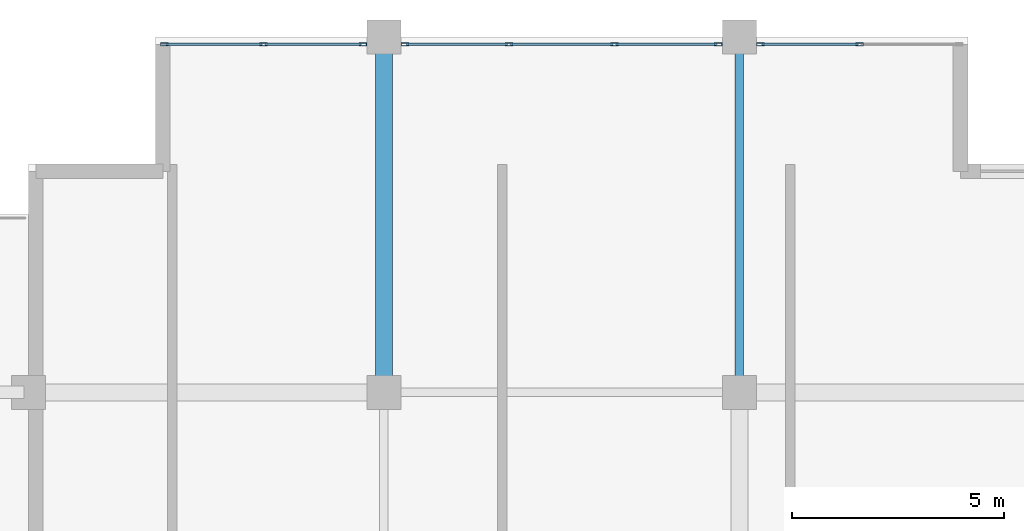
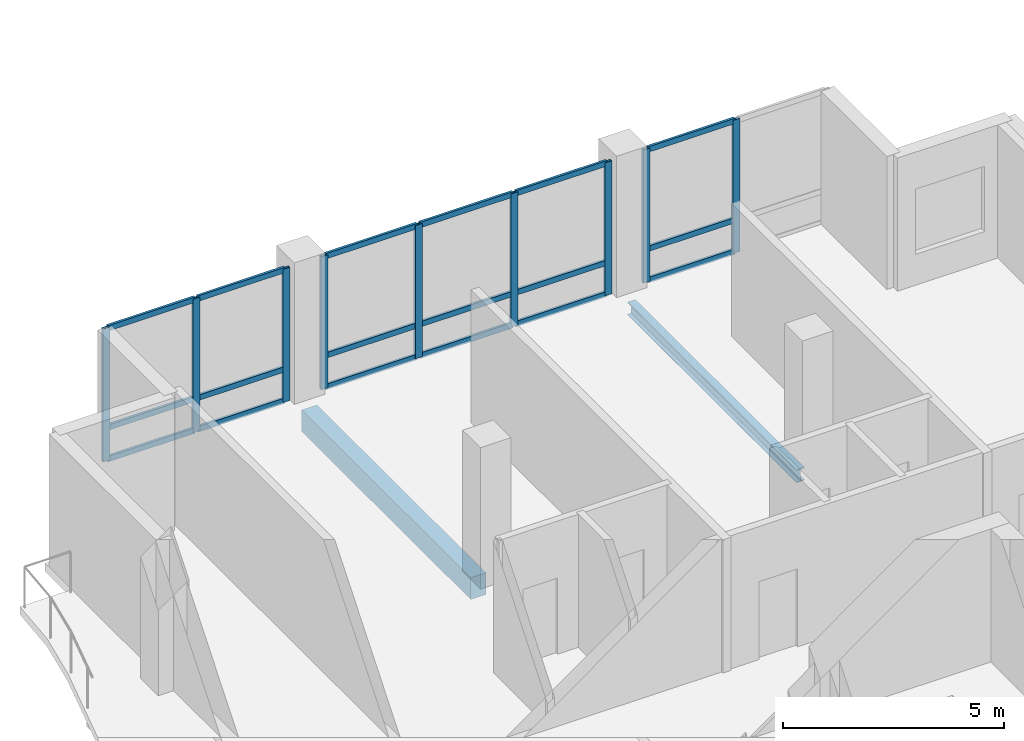
# One storey, part 3 of 17: 27 members, 2 beams, 3 elements without a shape of their own.
"""IFC4 building model written with IfcOpenShell, lengths in metres."""

from ifc_helpers import new_model, si_unit, direction, frame, origin, origin_2d, place, context, subcontext, project, spatial, rectangle, hollow_rectangle, i_section, extrude, material, layer, layer_set, material_profile, profile_set, type_object, element, aggregate, save


model = new_model("IFC4")

# Units and contexts
model_context = context("Model", 3, precision=1e-05, world=origin(), true_north=direction((0.0, 1.0)))
body_context = subcontext(model_context, "Body", "Model", "MODEL_VIEW")
ifc_project = project(units=[si_unit("LENGTHUNIT", "METRE"), si_unit("AREAUNIT", "SQUARE_METRE"), si_unit("VOLUMEUNIT", "CUBIC_METRE"), si_unit("PLANEANGLEUNIT", "RADIAN"), si_unit("MASSUNIT", "GRAM", prefix="KILO")], contexts=[model_context])

# Site, building, storey
site_placement = place(None, origin())
site = spatial("IfcSite", under=ifc_project, at=site_placement, CompositionType="ELEMENT")
building_placement = place(site_placement, origin())
building = spatial("IfcBuilding", under=site, at=building_placement, Name="Koriwani Terraces Tower", CompositionType="ELEMENT")
storey_placement = place(building_placement, frame((0.0, 0.0, 332.0)))
storey = spatial("IfcBuildingStorey", under=building, at=storey_placement, Name="L82", CompositionType="ELEMENT", Elevation=332.0)

# Beam
ifc_material_1 = material(Name="Concrete C40/50", Category="concrete")
ifc_material_profile_1 = material_profile(ifc_material_1, rectangle(XDim=0.39990234375, YDim=0.60009765625, at=origin_2d()), Name="Concrete C40/50", Category="LoadBearing")
ifc_profile_set_1 = profile_set([ifc_material_profile_1], Name="Concrete C40/50")
beam_type_1 = type_object("IfcBeamType", Name="BEAM_RC_GRID_400X600", PredefinedType="BEAM", material=ifc_profile_set_1)
beam_1_placement = place(storey_placement, frame((16.800048828125, 67.580078125, -0.530029296875), z_axis=(0.0, 1.0, 0.0), x_axis=(-1.0, 0.0, 0.0)))
element("IfcBeam", 1, at=beam_1_placement, inside=storey, type_object=beam_type_1, Name="L82 Grid Beam 3 (67.2-75.6m)", PredefinedType="BEAM", context=body_context, shape_type="SweptSolid", body=[
    extrude(rectangle(XDim=0.39990234375, YDim=0.60009765625, at=origin_2d()), origin(), (0.0, 0.0, 1.0), 7.639892578125),
])

# Curtain wall, members
ifc_material_2 = material(Name="Anodised Bronze Aluminium", Category="aluminium")
ifc_layer = layer(ifc_material_2, 0.18994140625, Name="Anodised Bronze Aluminium")
ifc_layer_set = layer_set([ifc_layer], Name="Anodised Bronze Aluminium")
curtain_wall_type = type_object("IfcCurtainWallType", Name="CW_PENTHOUSE_ZONE5", PredefinedType="NOTDEFINED", material=ifc_layer_set)
curtain_wall_1_placement = place(storey_placement, origin())
curtain_wall_1 = element("IfcCurtainWall", 2, at=curtain_wall_1_placement, inside=storey, type_object=curtain_wall_type, Name="L82 Unitised Curtain Wall (N_TIP) Bay 1", PredefinedType="NOTDEFINED")
ifc_material_profile_2 = material_profile(ifc_material_2, hollow_rectangle(XDim=0.074951171875, YDim=0.179931640625, WallThickness=0.006103515625, at=origin_2d()), Name="Anodised Bronze Aluminium", Category="LoadBearing")
ifc_profile_set_2 = profile_set([ifc_material_profile_2], Name="Anodised Bronze Aluminium")
member_type_1 = type_object("IfcMemberType", Name="CW_MULLION_180X75", PredefinedType="MULLION", material=ifc_profile_set_2)
member_1_placement = place(storey_placement, frame((11.612548828125, 75.425048828125, 0.0), z_axis=(0.0, 0.0, 1.0), x_axis=(0.0, 1.0, 0.0)))
member_1 = element("IfcMember", 3, at=member_1_placement, type_object=member_type_1, Name="CW-Z5 mullion 1", PredefinedType="MULLION", context=body_context, shape_type="SweptSolid", body=[
    extrude(hollow_rectangle(XDim=0.074951171875, YDim=0.179931640625, WallThickness=0.006103515625, at=origin_2d()), origin(), (0.0, 0.0, 1.0), 3.669921875),
])
member_2_placement = place(storey_placement, frame((13.95751953125, 75.425048828125, 0.0), z_axis=(0.0, 0.0, 1.0), x_axis=(0.0, 1.0, 0.0)))
member_2 = element("IfcMember", 4, at=member_2_placement, type_object=member_type_1, Name="CW-Z5 mullion 2", PredefinedType="MULLION", context=body_context, shape_type="SweptSolid", body=[
    extrude(hollow_rectangle(XDim=0.074951171875, YDim=0.179931640625, WallThickness=0.006103515625, at=origin_2d()), origin(), (0.0, 0.0, 1.0), 3.669921875),
])
member_3_placement = place(storey_placement, frame((16.302490234375, 75.425048828125, 0.0), z_axis=(0.0, 0.0, 1.0), x_axis=(0.0, 1.0, 0.0)))
member_3 = element("IfcMember", 5, at=member_3_placement, type_object=member_type_1, Name="CW-Z5 mullion 3", PredefinedType="MULLION", context=body_context, shape_type="SweptSolid", body=[
    extrude(hollow_rectangle(XDim=0.074951171875, YDim=0.179931640625, WallThickness=0.006103515625, at=origin_2d()), origin(), (0.0, 0.0, 1.0), 3.669921875),
])

curtain_wall_2_placement = place(storey_placement, origin())
curtain_wall_2 = element("IfcCurtainWall", 6, at=curtain_wall_2_placement, inside=storey, type_object=curtain_wall_type, Name="L82 Unitised Curtain Wall (N_TIP) Bay 2", PredefinedType="NOTDEFINED")
member_4_placement = place(storey_placement, frame((17.297607421875, 75.425048828125, 0.0), z_axis=(0.0, 0.0, 1.0), x_axis=(0.0, 1.0, 0.0)))
member_4 = element("IfcMember", 7, at=member_4_placement, type_object=member_type_1, Name="CW-Z5 mullion 1", PredefinedType="MULLION", context=body_context, shape_type="SweptSolid", body=[
    extrude(hollow_rectangle(XDim=0.074951171875, YDim=0.179931640625, WallThickness=0.006103515625, at=origin_2d()), origin(), (0.0, 0.0, 1.0), 3.669921875),
])
member_5_placement = place(storey_placement, frame((19.75341796875, 75.425048828125, 0.0), z_axis=(0.0, 0.0, 1.0), x_axis=(0.0, 1.0, 0.0)))
member_5 = element("IfcMember", 8, at=member_5_placement, type_object=member_type_1, Name="CW-Z5 mullion 2", PredefinedType="MULLION", context=body_context, shape_type="SweptSolid", body=[
    extrude(hollow_rectangle(XDim=0.074951171875, YDim=0.179931640625, WallThickness=0.006103515625, at=origin_2d()), origin(), (0.0, 0.0, 1.0), 3.669921875),
])
member_6_placement = place(storey_placement, frame((22.24658203125, 75.425048828125, 0.0), z_axis=(0.0, 0.0, 1.0), x_axis=(0.0, 1.0, 0.0)))
member_6 = element("IfcMember", 9, at=member_6_placement, type_object=member_type_1, Name="CW-Z5 mullion 3", PredefinedType="MULLION", context=body_context, shape_type="SweptSolid", body=[
    extrude(hollow_rectangle(XDim=0.074951171875, YDim=0.179931640625, WallThickness=0.006103515625, at=origin_2d()), origin(), (0.0, 0.0, 1.0), 3.669921875),
])
member_7_placement = place(storey_placement, frame((24.702392578125, 75.425048828125, 0.0), z_axis=(0.0, 0.0, 1.0), x_axis=(0.0, 1.0, 0.0)))
member_7 = element("IfcMember", 10, at=member_7_placement, type_object=member_type_1, Name="CW-Z5 mullion 4", PredefinedType="MULLION", context=body_context, shape_type="SweptSolid", body=[
    extrude(hollow_rectangle(XDim=0.074951171875, YDim=0.179931640625, WallThickness=0.006103515625, at=origin_2d()), origin(), (0.0, 0.0, 1.0), 3.669921875),
])

curtain_wall_3_placement = place(storey_placement, origin())
curtain_wall_3 = element("IfcCurtainWall", 11, at=curtain_wall_3_placement, inside=storey, type_object=curtain_wall_type, Name="L82 Unitised Curtain Wall (N_TIP) Bay 3", PredefinedType="NOTDEFINED")
member_8_placement = place(storey_placement, frame((25.697509765625, 75.425048828125, 0.0), z_axis=(0.0, 0.0, 1.0), x_axis=(0.0, 1.0, 0.0)))
member_8 = element("IfcMember", 12, at=member_8_placement, type_object=member_type_1, Name="CW-Z5 mullion 1", PredefinedType="MULLION", context=body_context, shape_type="SweptSolid", body=[
    extrude(hollow_rectangle(XDim=0.074951171875, YDim=0.179931640625, WallThickness=0.006103515625, at=origin_2d()), origin(), (0.0, 0.0, 1.0), 3.669921875),
])
member_9_placement = place(storey_placement, frame((28.04248046875, 75.425048828125, 0.0), z_axis=(0.0, 0.0, 1.0), x_axis=(0.0, 1.0, 0.0)))
member_9 = element("IfcMember", 13, at=member_9_placement, type_object=member_type_1, Name="CW-Z5 mullion 2", PredefinedType="MULLION", context=body_context, shape_type="SweptSolid", body=[
    extrude(hollow_rectangle(XDim=0.074951171875, YDim=0.179931640625, WallThickness=0.006103515625, at=origin_2d()), origin(), (0.0, 0.0, 1.0), 3.669921875),
])

# Member
ifc_material_profile_3 = material_profile(ifc_material_2, hollow_rectangle(XDim=0.06494140625, YDim=0.14990234375, WallThickness=0.0048828125, at=origin_2d()), Name="Anodised Bronze Aluminium", Category="LoadBearing")
ifc_profile_set_3 = profile_set([ifc_material_profile_3], Name="Anodised Bronze Aluminium")
member_type_2 = type_object("IfcMemberType", Name="CW_TRANSOM_150X65", PredefinedType="USERDEFINED", material=ifc_profile_set_3)
member_10_placement = place(storey_placement, frame((11.64990234375, 75.425048828125, 0.032470703125), z_axis=(1.0, 0.0, 0.0), x_axis=(0.0, 1.0, 0.0)))
member_10 = element("IfcMember", 14, at=member_10_placement, type_object=member_type_2, Name="CW-Z5 transom 1.1", ObjectType="TRANSOM", PredefinedType="USERDEFINED", context=body_context, shape_type="SweptSolid", body=[
    extrude(hollow_rectangle(XDim=0.06494140625, YDim=0.14990234375, WallThickness=0.0048828125, at=origin_2d()), origin(), (0.0, 0.0, 1.0), 2.27001953125),
])

member_11_placement = place(storey_placement, frame((11.64990234375, 75.425048828125, 0.89990234375), z_axis=(1.0, 0.0, 0.0), x_axis=(0.0, 1.0, 0.0)))
member_11 = element("IfcMember", 15, at=member_11_placement, type_object=member_type_2, Name="CW-Z5 transom 1.2", ObjectType="TRANSOM", PredefinedType="USERDEFINED", context=body_context, shape_type="SweptSolid", body=[
    extrude(hollow_rectangle(XDim=0.06494140625, YDim=0.14990234375, WallThickness=0.0048828125, at=origin_2d()), origin(), (0.0, 0.0, 1.0), 2.27001953125),
])

member_12_placement = place(storey_placement, frame((11.64990234375, 75.425048828125, 3.637451171875), z_axis=(1.0, 0.0, 0.0), x_axis=(0.0, 1.0, 0.0)))
member_12 = element("IfcMember", 16, at=member_12_placement, type_object=member_type_2, Name="CW-Z5 transom 1.3", ObjectType="TRANSOM", PredefinedType="USERDEFINED", context=body_context, shape_type="SweptSolid", body=[
    extrude(hollow_rectangle(XDim=0.06494140625, YDim=0.14990234375, WallThickness=0.0048828125, at=origin_2d()), origin(), (0.0, 0.0, 1.0), 2.27001953125),
])

member_13_placement = place(storey_placement, frame((13.9951171875, 75.425048828125, 0.032470703125), z_axis=(1.0, 0.0, 0.0), x_axis=(0.0, 1.0, 0.0)))
member_13 = element("IfcMember", 17, at=member_13_placement, type_object=member_type_2, Name="CW-Z5 transom 2.1", ObjectType="TRANSOM", PredefinedType="USERDEFINED", context=body_context, shape_type="SweptSolid", body=[
    extrude(hollow_rectangle(XDim=0.06494140625, YDim=0.14990234375, WallThickness=0.0048828125, at=origin_2d()), origin(), (0.0, 0.0, 1.0), 2.269775390625),
])

member_14_placement = place(storey_placement, frame((13.9951171875, 75.425048828125, 0.89990234375), z_axis=(1.0, 0.0, 0.0), x_axis=(0.0, 1.0, 0.0)))
member_14 = element("IfcMember", 18, at=member_14_placement, type_object=member_type_2, Name="CW-Z5 transom 2.2", ObjectType="TRANSOM", PredefinedType="USERDEFINED", context=body_context, shape_type="SweptSolid", body=[
    extrude(hollow_rectangle(XDim=0.06494140625, YDim=0.14990234375, WallThickness=0.0048828125, at=origin_2d()), origin(), (0.0, 0.0, 1.0), 2.269775390625),
])

member_15_placement = place(storey_placement, frame((13.9951171875, 75.425048828125, 3.637451171875), z_axis=(1.0, 0.0, 0.0), x_axis=(0.0, 1.0, 0.0)))
member_15 = element("IfcMember", 19, at=member_15_placement, type_object=member_type_2, Name="CW-Z5 transom 2.3", ObjectType="TRANSOM", PredefinedType="USERDEFINED", context=body_context, shape_type="SweptSolid", body=[
    extrude(hollow_rectangle(XDim=0.06494140625, YDim=0.14990234375, WallThickness=0.0048828125, at=origin_2d()), origin(), (0.0, 0.0, 1.0), 2.269775390625),
])

aggregate(curtain_wall_1, [member_1, member_2, member_3, member_10, member_11, member_12, member_13, member_14, member_15])

member_16_placement = place(storey_placement, frame((17.3349609375, 75.425048828125, 0.032470703125), z_axis=(1.0, 0.0, 0.0), x_axis=(0.0, 1.0, 0.0)))
member_16 = element("IfcMember", 20, at=member_16_placement, type_object=member_type_2, Name="CW-Z5 transom 1.1", ObjectType="TRANSOM", PredefinedType="USERDEFINED", context=body_context, shape_type="SweptSolid", body=[
    extrude(hollow_rectangle(XDim=0.06494140625, YDim=0.14990234375, WallThickness=0.0048828125, at=origin_2d()), origin(), (0.0, 0.0, 1.0), 2.380859375),
])

member_17_placement = place(storey_placement, frame((17.3349609375, 75.425048828125, 0.89990234375), z_axis=(1.0, 0.0, 0.0), x_axis=(0.0, 1.0, 0.0)))
member_17 = element("IfcMember", 21, at=member_17_placement, type_object=member_type_2, Name="CW-Z5 transom 1.2", ObjectType="TRANSOM", PredefinedType="USERDEFINED", context=body_context, shape_type="SweptSolid", body=[
    extrude(hollow_rectangle(XDim=0.06494140625, YDim=0.14990234375, WallThickness=0.0048828125, at=origin_2d()), origin(), (0.0, 0.0, 1.0), 2.380859375),
])

member_18_placement = place(storey_placement, frame((17.3349609375, 75.425048828125, 3.637451171875), z_axis=(1.0, 0.0, 0.0), x_axis=(0.0, 1.0, 0.0)))
member_18 = element("IfcMember", 22, at=member_18_placement, type_object=member_type_2, Name="CW-Z5 transom 1.3", ObjectType="TRANSOM", PredefinedType="USERDEFINED", context=body_context, shape_type="SweptSolid", body=[
    extrude(hollow_rectangle(XDim=0.06494140625, YDim=0.14990234375, WallThickness=0.0048828125, at=origin_2d()), origin(), (0.0, 0.0, 1.0), 2.380859375),
])

member_19_placement = place(storey_placement, frame((19.790771484375, 75.425048828125, 0.032470703125), z_axis=(1.0, 0.0, 0.0), x_axis=(0.0, 1.0, 0.0)))
member_19 = element("IfcMember", 23, at=member_19_placement, type_object=member_type_2, Name="CW-Z5 transom 2.1", ObjectType="TRANSOM", PredefinedType="USERDEFINED", context=body_context, shape_type="SweptSolid", body=[
    extrude(hollow_rectangle(XDim=0.06494140625, YDim=0.14990234375, WallThickness=0.0048828125, at=origin_2d()), origin(), (0.0, 0.0, 1.0), 2.41845703125),
])

member_20_placement = place(storey_placement, frame((19.790771484375, 75.425048828125, 0.89990234375), z_axis=(1.0, 0.0, 0.0), x_axis=(0.0, 1.0, 0.0)))
member_20 = element("IfcMember", 24, at=member_20_placement, type_object=member_type_2, Name="CW-Z5 transom 2.2", ObjectType="TRANSOM", PredefinedType="USERDEFINED", context=body_context, shape_type="SweptSolid", body=[
    extrude(hollow_rectangle(XDim=0.06494140625, YDim=0.14990234375, WallThickness=0.0048828125, at=origin_2d()), origin(), (0.0, 0.0, 1.0), 2.41845703125),
])

member_21_placement = place(storey_placement, frame((19.790771484375, 75.425048828125, 3.637451171875), z_axis=(1.0, 0.0, 0.0), x_axis=(0.0, 1.0, 0.0)))
member_21 = element("IfcMember", 25, at=member_21_placement, type_object=member_type_2, Name="CW-Z5 transom 2.3", ObjectType="TRANSOM", PredefinedType="USERDEFINED", context=body_context, shape_type="SweptSolid", body=[
    extrude(hollow_rectangle(XDim=0.06494140625, YDim=0.14990234375, WallThickness=0.0048828125, at=origin_2d()), origin(), (0.0, 0.0, 1.0), 2.41845703125),
])

member_22_placement = place(storey_placement, frame((22.2841796875, 75.425048828125, 0.032470703125), z_axis=(1.0, 0.0, 0.0), x_axis=(0.0, 1.0, 0.0)))
member_22 = element("IfcMember", 26, at=member_22_placement, type_object=member_type_2, Name="CW-Z5 transom 3.1", ObjectType="TRANSOM", PredefinedType="USERDEFINED", context=body_context, shape_type="SweptSolid", body=[
    extrude(hollow_rectangle(XDim=0.06494140625, YDim=0.14990234375, WallThickness=0.0048828125, at=origin_2d()), origin(), (0.0, 0.0, 1.0), 2.380859375),
])

member_23_placement = place(storey_placement, frame((22.2841796875, 75.425048828125, 0.89990234375), z_axis=(1.0, 0.0, 0.0), x_axis=(0.0, 1.0, 0.0)))
member_23 = element("IfcMember", 27, at=member_23_placement, type_object=member_type_2, Name="CW-Z5 transom 3.2", ObjectType="TRANSOM", PredefinedType="USERDEFINED", context=body_context, shape_type="SweptSolid", body=[
    extrude(hollow_rectangle(XDim=0.06494140625, YDim=0.14990234375, WallThickness=0.0048828125, at=origin_2d()), origin(), (0.0, 0.0, 1.0), 2.380859375),
])

member_24_placement = place(storey_placement, frame((22.2841796875, 75.425048828125, 3.637451171875), z_axis=(1.0, 0.0, 0.0), x_axis=(0.0, 1.0, 0.0)))
member_24 = element("IfcMember", 28, at=member_24_placement, type_object=member_type_2, Name="CW-Z5 transom 3.3", ObjectType="TRANSOM", PredefinedType="USERDEFINED", context=body_context, shape_type="SweptSolid", body=[
    extrude(hollow_rectangle(XDim=0.06494140625, YDim=0.14990234375, WallThickness=0.0048828125, at=origin_2d()), origin(), (0.0, 0.0, 1.0), 2.380859375),
])

aggregate(curtain_wall_2, [member_4, member_5, member_6, member_7, member_16, member_17, member_18, member_19, member_20, member_21, member_22, member_23, member_24])

member_25_placement = place(storey_placement, frame((25.735107421875, 75.425048828125, 0.032470703125), z_axis=(1.0, 0.0, 0.0), x_axis=(0.0, 1.0, 0.0)))
member_25 = element("IfcMember", 29, at=member_25_placement, type_object=member_type_2, Name="CW-Z5 transom 1.1", ObjectType="TRANSOM", PredefinedType="USERDEFINED", context=body_context, shape_type="SweptSolid", body=[
    extrude(hollow_rectangle(XDim=0.06494140625, YDim=0.14990234375, WallThickness=0.0048828125, at=origin_2d()), origin(), (0.0, 0.0, 1.0), 2.269775390625),
])

member_26_placement = place(storey_placement, frame((25.735107421875, 75.425048828125, 0.89990234375), z_axis=(1.0, 0.0, 0.0), x_axis=(0.0, 1.0, 0.0)))
member_26 = element("IfcMember", 30, at=member_26_placement, type_object=member_type_2, Name="CW-Z5 transom 1.2", ObjectType="TRANSOM", PredefinedType="USERDEFINED", context=body_context, shape_type="SweptSolid", body=[
    extrude(hollow_rectangle(XDim=0.06494140625, YDim=0.14990234375, WallThickness=0.0048828125, at=origin_2d()), origin(), (0.0, 0.0, 1.0), 2.269775390625),
])

member_27_placement = place(storey_placement, frame((25.735107421875, 75.425048828125, 3.637451171875), z_axis=(1.0, 0.0, 0.0), x_axis=(0.0, 1.0, 0.0)))
member_27 = element("IfcMember", 31, at=member_27_placement, type_object=member_type_2, Name="CW-Z5 transom 1.3", ObjectType="TRANSOM", PredefinedType="USERDEFINED", context=body_context, shape_type="SweptSolid", body=[
    extrude(hollow_rectangle(XDim=0.06494140625, YDim=0.14990234375, WallThickness=0.0048828125, at=origin_2d()), origin(), (0.0, 0.0, 1.0), 2.269775390625),
])

aggregate(curtain_wall_3, [member_8, member_9, member_25, member_26, member_27])

# Beam
ifc_material_3 = material(Name="Steel ASTM A572 Grade 50", Category="steel")
ifc_material_profile_4 = material_profile(ifc_material_3, i_section(OverallWidth=0.205078125, OverallDepth=0.35400390625, WebThickness=0.009521484375, FlangeThickness=0.016845703125, at=origin_2d()), Name="Steel ASTM A572 Grade 50", Category="LoadBearing")
ifc_profile_set_4 = profile_set([ifc_material_profile_4], Name="Steel ASTM A572 Grade 50")
beam_type_2 = type_object("IfcBeamType", Name="STEEL_BEAM_W360X79", PredefinedType="JOIST", material=ifc_profile_set_4)
beam_2_placement = place(storey_placement, frame((25.199951171875, 67.580078125, -0.406982421875), z_axis=(0.0, 1.0, 0.0), x_axis=(-1.0, 0.0, 0.0)))
element("IfcBeam", 32, at=beam_2_placement, inside=storey, type_object=beam_type_2, Name="L82 Grid Beam 4 (67.2-75.6m)", PredefinedType="JOIST", context=body_context, shape_type="SweptSolid", body=[
    extrude(i_section(OverallWidth=0.205078125, OverallDepth=0.35400390625, WebThickness=0.009521484375, FlangeThickness=0.016845703125, at=origin_2d()), origin(), (0.0, 0.0, 1.0), 7.639892578125),
])

save(model, "model.ifc")
